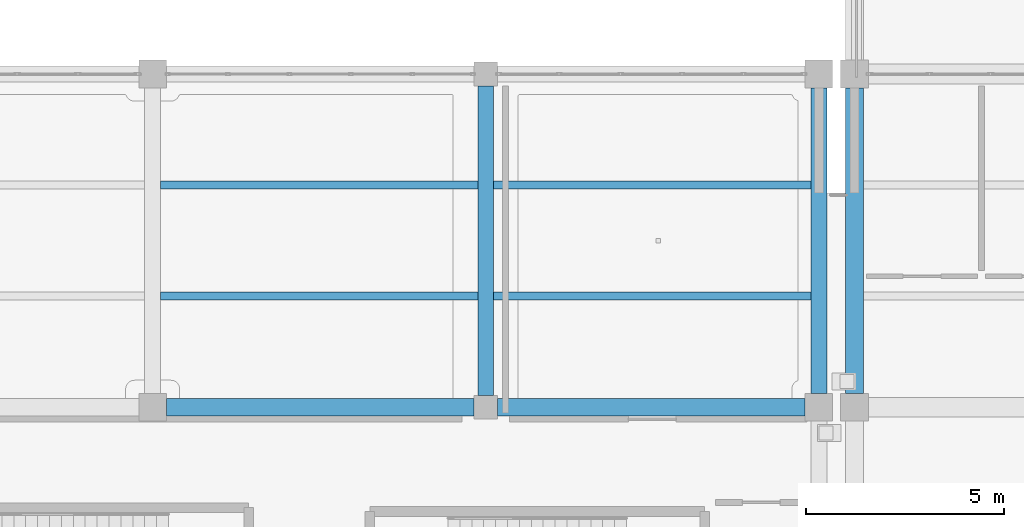
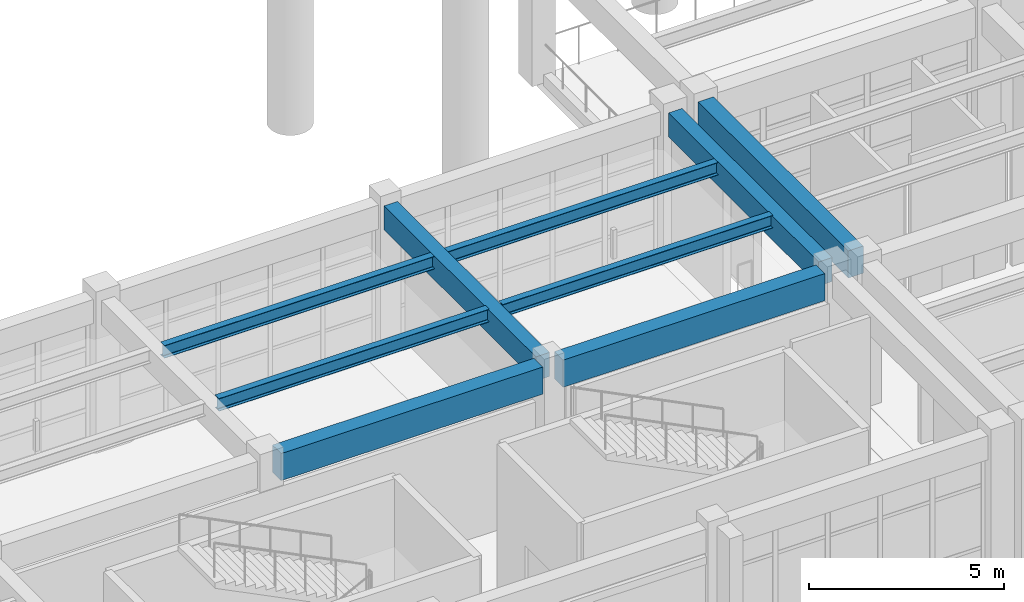
# One storey, part 21 of 98: 9 beams.
"""IFC4 building model written with IfcOpenShell, lengths in metres."""

from ifc_helpers import new_model, si_unit, direction, frame, origin, origin_2d, place, context, subcontext, project, spatial, rectangle, i_section, extrude, material, material_profile, profile_set, type_object, element, save


model = new_model("IFC4")

# Units and contexts
model_context = context("Model", 3, precision=1e-05, world=origin(), true_north=direction((0.0, 1.0)))
body_context = subcontext(model_context, "Body", "Model", "MODEL_VIEW")
ifc_project = project(units=[si_unit("LENGTHUNIT", "METRE"), si_unit("AREAUNIT", "SQUARE_METRE"), si_unit("VOLUMEUNIT", "CUBIC_METRE"), si_unit("PLANEANGLEUNIT", "RADIAN"), si_unit("MASSUNIT", "GRAM", prefix="KILO")], contexts=[model_context])

# Site, building, storey
site_placement = place(None, origin())
site = spatial("IfcSite", under=ifc_project, at=site_placement, CompositionType="ELEMENT")
building_placement = place(site_placement, origin())
building = spatial("IfcBuilding", under=site, at=building_placement, Name="Canglan Escarpment Cableway Terminal", CompositionType="ELEMENT")
storey_placement = place(building_placement, frame((0.0, 0.0, 9.60009765625)))
storey = spatial("IfcBuildingStorey", under=building, at=storey_placement, Name="L02", CompositionType="ELEMENT", Elevation=9.60009765625)

# Beams
ifc_material_1 = material(Name="Concrete C40", Category="concrete")
ifc_material_profile_1 = material_profile(ifc_material_1, rectangle(XDim=0.39990234375, YDim=0.75, at=origin_2d()), Name="RC 400x750")
ifc_profile_set_1 = profile_set([ifc_material_profile_1], Name="Concrete C40")
beam_type_1 = type_object("IfcBeamType", Name="BM-RC400x750", PredefinedType="BEAM", material=ifc_profile_set_1)
beam_1_placement = place(storey_placement, frame((102.199951171875, 16.699951171875, 4.10498046875), z_axis=(0.0, 1.0, 0.0), x_axis=(-1.0, 0.0, 0.0)))
element("IfcBeam", 1, at=beam_1_placement, inside=storey, type_object=beam_type_1, Name="Primary transverse girder B-03", PredefinedType="BEAM", context=body_context, shape_type="SweptSolid", body=[
    extrude(rectangle(XDim=0.39990234375, YDim=0.75, at=origin_2d()), origin(), (0.0, 0.0, 1.0), 7.800048828125),
])
beam_2_placement = place(storey_placement, frame((110.60009765625, 16.75, 4.10498046875), z_axis=(0.0, 1.0, 0.0), x_axis=(-1.0, 0.0, 0.0)))
element("IfcBeam", 2, at=beam_2_placement, inside=storey, type_object=beam_type_1, Name="Primary transverse girder B-03", PredefinedType="BEAM", context=body_context, shape_type="SweptSolid", body=[
    extrude(rectangle(XDim=0.39990234375, YDim=0.75, at=origin_2d()), origin(), (0.0, 0.0, 1.0), 7.699951171875),
])
ifc_material_profile_2 = material_profile(ifc_material_1, rectangle(XDim=0.449951171875, YDim=0.85009765625, at=origin_2d()), Name="RC 450x850")
ifc_profile_set_2 = profile_set([ifc_material_profile_2], Name="Concrete C40")
beam_type_2 = type_object("IfcBeamType", Name="BM-RC450x850", PredefinedType="BEAM", material=ifc_profile_set_2)
for number, where, z_axis, x_axis, name in (
    (3, (94.14990234375, 16.39990234375, 4.094970703125), (1.0, 0.0, 0.0), (0.0, 1.0, 0.0), "Primary structural girder B-02"),
    (4, (102.5, 16.39990234375, 4.094970703125), (1.0, 0.0, 0.0), (0.0, 1.0, 0.0), "Primary structural girder B-02"),
):
    element("IfcBeam", number, at=place(storey_placement, frame(where, z_axis=z_axis, x_axis=x_axis)), inside=storey, type_object=beam_type_2, Name=name, PredefinedType="BEAM", context=body_context, shape_type="SweptSolid", body=[
        extrude(rectangle(XDim=0.449951171875, YDim=0.85009765625, at=origin_2d()), origin(), (0.0, 0.0, 1.0), 7.75),
    ])
beam_3_placement = place(storey_placement, frame((111.5, 16.75, 4.094970703125), z_axis=(0.0, 1.0, 0.0), x_axis=(-1.0, 0.0, 0.0)))
element("IfcBeam", 5, at=beam_3_placement, inside=storey, type_object=beam_type_2, Name="Primary transverse girder B-02", PredefinedType="BEAM", context=body_context, shape_type="SweptSolid", body=[
    extrude(rectangle(XDim=0.449951171875, YDim=0.85009765625, at=origin_2d()), origin(), (0.0, 0.0, 1.0), 7.699951171875),
])
ifc_material_2 = material(Name="Steel Q355B", Category="steel")
ifc_material_profile_3 = material_profile(ifc_material_2, i_section(OverallWidth=0.199951171875, OverallDepth=0.39990234375, WebThickness=0.008056640625, FlangeThickness=0.012939453125, FilletRadius=0.01611328125, at=origin_2d()), Name="HN 400x200x8x13")
ifc_profile_set_3 = profile_set([ifc_material_profile_3], Name="Steel Q355B")
beam_type_3 = type_object("IfcBeamType", Name="JS-HN400", PredefinedType="JOIST", material=ifc_profile_set_3)
for number, where, z_axis, x_axis, name in (
    (6, (94.0, 19.199951171875, 4.31982421875), (1.0, 0.0, 0.0), (0.0, 1.0, 0.0), "Secondary composite deck joist J-03"),
    (7, (94.0, 22.0, 4.27978515625), (1.0, 0.0, 0.0), (0.0, 1.0, 0.0), "Secondary composite deck joist J-03"),
    (8, (102.39990234375, 19.199951171875, 4.31982421875), (1.0, 0.0, 0.0), (0.0, 1.0, 0.0), "Secondary composite deck joist J-03"),
    (9, (102.39990234375, 22.0, 4.27978515625), (1.0, 0.0, 0.0), (0.0, 1.0, 0.0), "Secondary composite deck joist J-03"),
):
    element("IfcBeam", number, at=place(storey_placement, frame(where, z_axis=z_axis, x_axis=x_axis)), inside=storey, type_object=beam_type_3, Name=name, PredefinedType="JOIST", context=body_context, shape_type="SweptSolid", body=[
        extrude(i_section(OverallWidth=0.199951171875, OverallDepth=0.39990234375, WebThickness=0.008056640625, FlangeThickness=0.012939453125, FilletRadius=0.01611328125, at=origin_2d()), origin(), (0.0, 0.0, 1.0), 8.0),
    ])

save(model, "model.ifc")
